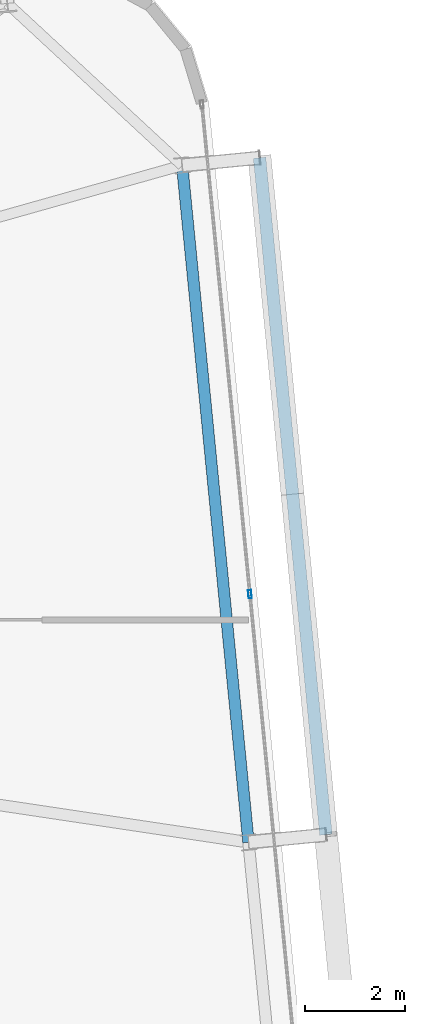
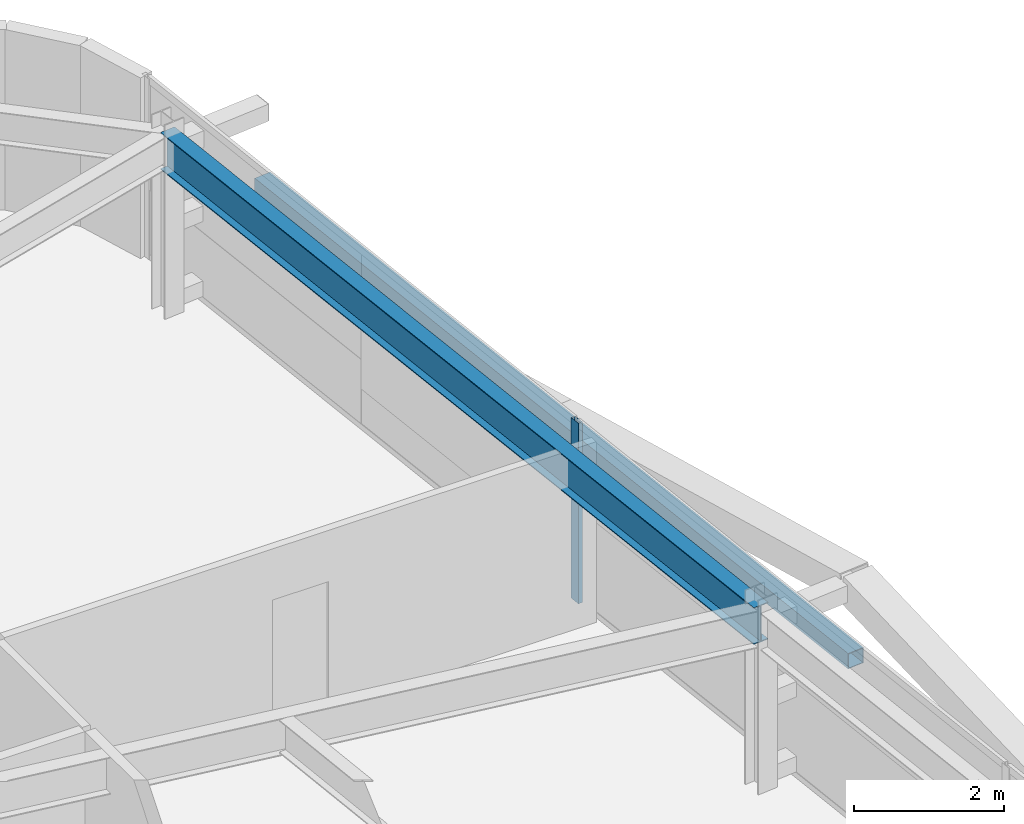
# One storey, part 23 of 47: 2 members, 1 beam, 1 element without a shape of its own.
"""IFC4 building model written with IfcOpenShell, lengths in metres."""

from ifc_helpers import new_model, si_unit, direction, frame, origin, origin_2d, place, context, subcontext, project, spatial, hollow_rectangle, i_section, extrude, source, transform, mapped, material, layer, layer_set, material_profile, profile_set, type_object, element, aggregate, save


model = new_model("IFC4")

# Units and contexts
model_context = context("Model", 3, precision=1e-05, world=origin(), true_north=direction((0.0, 1.0)))
body_context = subcontext(model_context, "Body", "Model", "MODEL_VIEW")
ifc_project = project(units=[si_unit("LENGTHUNIT", "METRE"), si_unit("AREAUNIT", "SQUARE_METRE"), si_unit("VOLUMEUNIT", "CUBIC_METRE"), si_unit("PLANEANGLEUNIT", "RADIAN"), si_unit("MASSUNIT", "GRAM", prefix="KILO")], contexts=[model_context])

# Site, building, storey
site_placement = place(None, origin())
site = spatial("IfcSite", under=ifc_project, at=site_placement, CompositionType="ELEMENT")
building_placement = place(site_placement, origin())
building = spatial("IfcBuilding", under=site, at=building_placement, Name="Taldren Reach Tower", CompositionType="ELEMENT")
storey_placement = place(building_placement, frame((0.0, 0.0, 87.14990234375)))
storey = spatial("IfcBuildingStorey", under=building, at=storey_placement, Name="L26", CompositionType="ELEMENT", Elevation=87.14990234375)

# Beam
ifc_material_1 = material(Name="Steel Gr 350 (350PLUS)", Category="steel")
ifc_material_profile_1 = material_profile(ifc_material_1, i_section(OverallWidth=0.22802734375, OverallDepth=0.60205078125, WebThickness=0.010498046875, FlangeThickness=0.014892578125, at=origin_2d()), Name="610UB101")
ifc_profile_set_1 = profile_set([ifc_material_profile_1], Name="Steel Gr 350 (350PLUS)")
beam_type = type_object("IfcBeamType", Name="BM-UB610B", PredefinedType="BEAM", material=ifc_profile_set_1)
shared_shape_1 = source(origin(), body_context, "Body", "SweptSolid", [
    extrude(i_section(OverallWidth=0.22802734375, OverallDepth=0.60205078125, WebThickness=0.010498046875, FlangeThickness=0.014892578125, at=origin_2d()), origin(), (0.0, 0.0, 1.0), 13.550048828125),
])
beam_placement = place(storey_placement, frame((64.569580078125, 21.968994140625, 2.629150390625), z_axis=(-0.097584021339, 0.995227290009, 0.0), x_axis=(-0.995227290009, -0.097584021339, 0.0)))
element("IfcBeam", 1, at=beam_placement, inside=storey, type_object=beam_type, Name="Perimeter gable girder B2 E2-E3 L26", PredefinedType="BEAM", context=body_context, shape_type="MappedRepresentation", body=[
    mapped(shared_shape_1, transform((0.0, 0.0, 0.0), scale=1.0)),
])

# Member
ifc_material_2 = material(Name="Steel Gr 350 (C350L0)", Category="steel")
ifc_material_profile_2 = material_profile(ifc_material_2, hollow_rectangle(XDim=0.25, YDim=0.25, WallThickness=0.010009765625, at=origin_2d()), Name="250x250x10.0SHS")
ifc_profile_set_2 = profile_set([ifc_material_profile_2], Name="Steel Gr 350 (C350L0)")
member_type_1 = type_object("IfcMemberType", Name="MB-POST250", PredefinedType="POST", material=ifc_profile_set_2)
shared_shape_2 = source(origin(), body_context, "Body", "SweptSolid", [
    extrude(hollow_rectangle(XDim=0.25, YDim=0.25, WallThickness=0.010009765625, at=origin_2d()), origin(), (0.0, 0.0, 1.0), 13.550048828125),
])
member_1_placement = place(storey_placement, frame((66.112060546875, 22.1201171875, 1.43505859375), z_axis=(-0.097584021339, 0.995227290009, 0.0), x_axis=(-0.995227290009, -0.097584021339, 0.0)))
element("IfcMember", 2, at=member_1_placement, inside=storey, type_object=member_type_1, Name="Exoskeleton mid-height ring chord B2-E2 L26", PredefinedType="POST", context=body_context, shape_type="MappedRepresentation", body=[
    mapped(shared_shape_2, transform((0.0, 0.0, 0.0), scale=1.0)),
])

# Curtain wall, member
ifc_material_3 = material(Name="Aluminium and Low-E Glass Unitised System", Category="aluminium")
ifc_layer = layer(ifc_material_3, 0.159912109375)
ifc_layer_set = layer_set([ifc_layer], Name="Aluminium and Low-E Glass Unitised System")
curtain_wall_type = type_object("IfcCurtainWallType", Name="CW-SYS-3", PredefinedType="NOTDEFINED", material=ifc_layer_set)
curtain_wall_placement = place(storey_placement, origin())
curtain_wall = element("IfcCurtainWall", 3, at=curtain_wall_placement, inside=storey, type_object=curtain_wall_type, Name="Unitised curtain wall CW-L26-E", PredefinedType="NOTDEFINED")
ifc_material_4 = material(Name="Anodised Aluminium 6063-T6", Category="aluminium")
ifc_material_profile_3 = material_profile(ifc_material_4, hollow_rectangle(XDim=0.06494140625, YDim=0.1650390625, WallThickness=0.00390625, at=origin_2d()), Name="ALU-165x65x4RHS")
ifc_profile_set_3 = profile_set([ifc_material_profile_3], Name="Anodised Aluminium 6063-T6")
member_type_2 = type_object("IfcMemberType", Name="CW-MUL-165", PredefinedType="MULLION", material=ifc_profile_set_3)
shared_shape_3 = source(origin(), body_context, "Body", "SweptSolid", [
    extrude(hollow_rectangle(XDim=0.06494140625, YDim=0.1650390625, WallThickness=0.00390625, at=origin_2d()), origin(), (0.0, 0.0, 1.0), 2.93017578125),
])
member_2_placement = place(storey_placement, frame((64.59716796875, 26.911865234375, 0.0), z_axis=(0.0, 0.0, 1.0), x_axis=(-0.99522741555, -0.09758274098, 0.0)))
member_2 = element("IfcMember", 4, at=member_2_placement, type_object=member_type_2, Name="CW-3 mullion 3", PredefinedType="MULLION", context=body_context, shape_type="MappedRepresentation", body=[
    mapped(shared_shape_3, transform((0.0, 0.0, 0.0), scale=1.0)),
])
aggregate(curtain_wall, [member_2])

save(model, "model.ifc")
